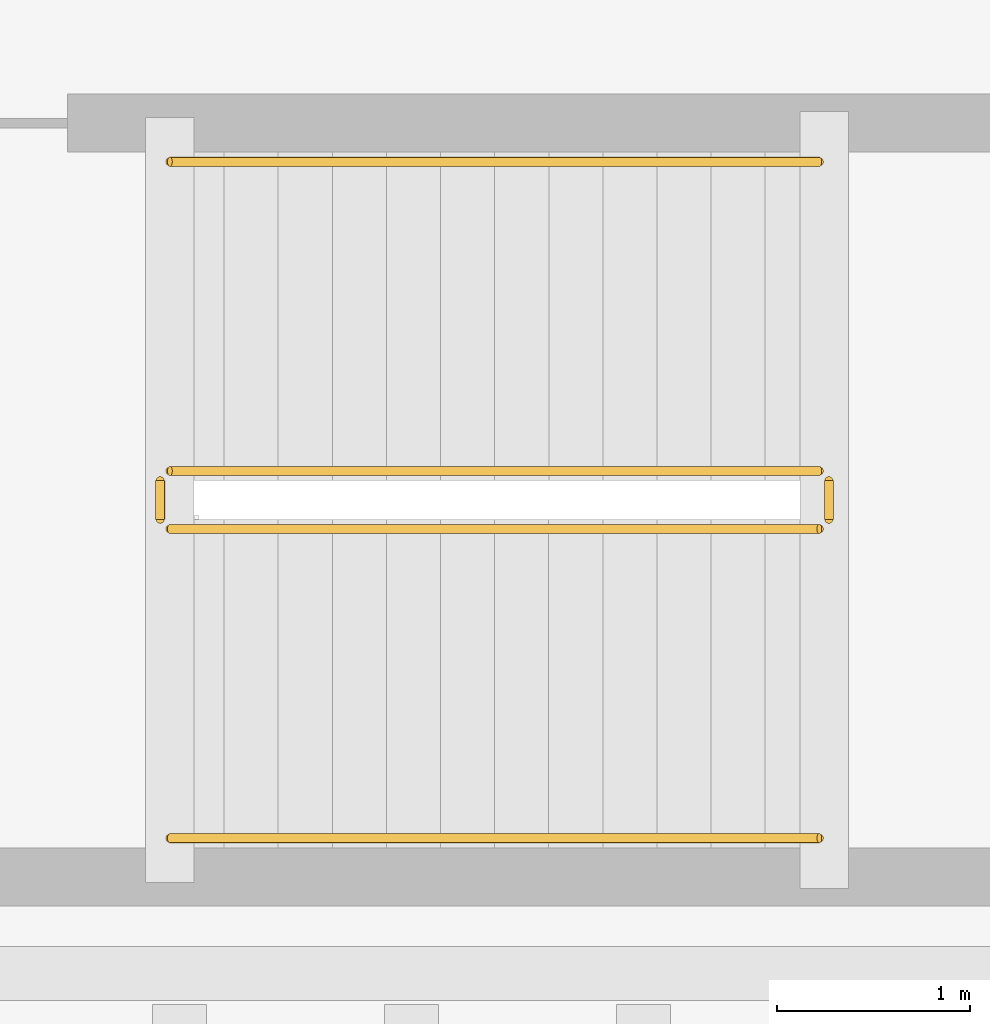
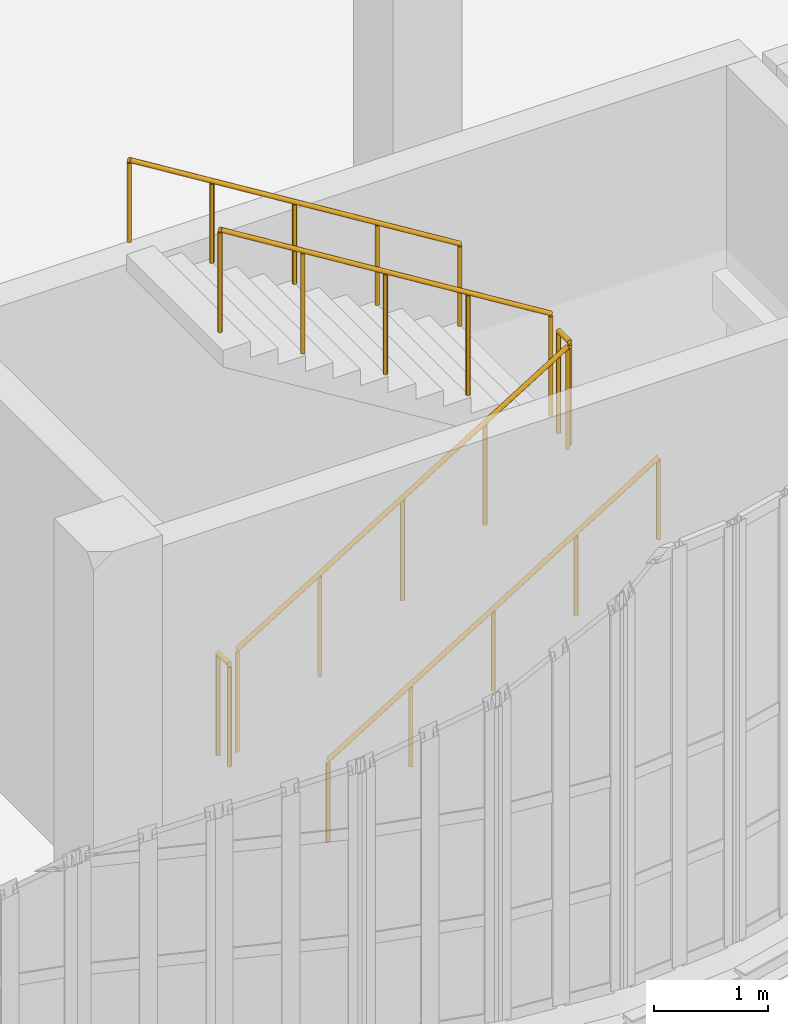
# One storey, part 97 of 108: 6 railings.
"""IFC4 building model written with IfcOpenShell, lengths in metres."""

from ifc_helpers import new_model, si_unit, direction, frame, origin, origin_2d, place, context, subcontext, project, spatial, circle, extrude, material, type_object, element, save


model = new_model("IFC4")

# Units and contexts
model_context = context("Model", 3, precision=1e-05, world=origin(), true_north=direction((0.0, 1.0)))
body_context = subcontext(model_context, "Body", "Model", "MODEL_VIEW")
ifc_project = project(units=[si_unit("LENGTHUNIT", "METRE"), si_unit("AREAUNIT", "SQUARE_METRE"), si_unit("VOLUMEUNIT", "CUBIC_METRE"), si_unit("PLANEANGLEUNIT", "RADIAN"), si_unit("MASSUNIT", "GRAM", prefix="KILO"), si_unit("THERMODYNAMICTEMPERATUREUNIT", "KELVIN"), si_unit("POWERUNIT", "WATT")], contexts=[model_context])

# Site, building, storey
site_placement = place(None, origin())
site = spatial("IfcSite", under=ifc_project, at=site_placement, CompositionType="ELEMENT")
building_placement = place(site_placement, origin())
building = spatial("IfcBuilding", under=site, at=building_placement, Name="Kaldorven Railside Theatre", CompositionType="ELEMENT")
storey_placement = place(building_placement, frame((0.0, 0.0, 5.39990234375)))
storey = spatial("IfcBuildingStorey", under=building, at=storey_placement, Name="L01", CompositionType="ELEMENT", Elevation=5.39990234375)

# Railings
ifc_material = material(Name="Steel S355", Category="steel")
railing_type_1 = type_object("IfcRailingType", Name="RLG-STG-1100", PredefinedType="BALUSTRADE", material=ifc_material)
railing_1_placement = place(storey_placement, frame((60.75, 21.0, 0.173095703125)))
element("IfcRailing", 1, at=railing_1_placement, inside=storey, type_object=railing_type_1, Name="L01 ST-03 stair guard 1", PredefinedType="BALUSTRADE", context=body_context, shape_type="SweptSolid", body=[
    extrude(circle(Radius=0.02392578125, at=origin_2d()), frame((0.0, 0.0, 1.09619140625), z_axis=(0.850623216509, 0.0, 0.525775754039), x_axis=(0.0, 1.0, 0.0)), (0.0, 0.0, 1.0), 3.9501953125),
    extrude(circle(Radius=0.02099609375, at=origin_2d()), origin(), (0.0, 0.0, 1.0), 1.072021484375),
    extrude(circle(Radius=0.02099609375, at=origin_2d()), frame((0.840087890625, 0.0, 0.519287109375)), (0.0, 0.0, 1.0), 1.072021484375),
    extrude(circle(Radius=0.02099609375, at=origin_2d()), frame((1.68017578125, 0.0, 1.03857421875)), (0.0, 0.0, 1.0), 1.072021484375),
    extrude(circle(Radius=0.02099609375, at=origin_2d()), frame((2.52001953125, 0.0, 1.5576171875)), (0.0, 0.0, 1.0), 1.072021484375),
    extrude(circle(Radius=0.02099609375, at=origin_2d()), frame((3.360107421875, 0.0, 2.076904296875)), (0.0, 0.0, 1.0), 1.072021484375),
])
railing_2_placement = place(storey_placement, frame((64.159912109375, 21.050048828125, 2.25)))
element("IfcRailing", 2, at=railing_2_placement, inside=storey, type_object=railing_type_1, Name="L01 ST-03 stair guard 2", PredefinedType="BALUSTRADE", context=body_context, shape_type="SweptSolid", body=[
    extrude(circle(Radius=0.02392578125, at=origin_2d()), frame((0.0, 0.0, 1.09619140625), z_axis=(0.0, 1.0, 0.0), x_axis=(-1.0, 0.0, 0.0)), (0.0, 0.0, 1.0), 0.199951171875),
    extrude(circle(Radius=0.02099609375, at=origin_2d()), origin(), (0.0, 0.0, 1.0), 1.072021484375),
    extrude(circle(Radius=0.02099609375, at=origin_2d()), frame((0.0, 0.199951171875, 0.0)), (0.0, 0.0, 1.0), 1.072021484375),
])
railing_3_placement = place(storey_placement, frame((64.110107421875, 21.300048828125, 2.423095703125)))
element("IfcRailing", 3, at=railing_3_placement, inside=storey, type_object=railing_type_1, Name="L01 ST-03 stair guard 3", PredefinedType="BALUSTRADE", context=body_context, shape_type="SweptSolid", body=[
    extrude(circle(Radius=0.02392578125, at=origin_2d()), frame((0.0, 0.0, 1.09619140625), z_axis=(-0.850623216509, 0.0, 0.525775754039), x_axis=(0.0, -1.0, 0.0)), (0.0, 0.0, 1.0), 3.9501953125),
    extrude(circle(Radius=0.02099609375, at=origin_2d()), origin(), (0.0, 0.0, 1.0), 1.072021484375),
    extrude(circle(Radius=0.02099609375, at=origin_2d()), frame((-0.840087890625, 0.0, 0.519287109375)), (0.0, 0.0, 1.0), 1.072021484375),
    extrude(circle(Radius=0.02099609375, at=origin_2d()), frame((-1.68017578125, 0.0, 1.03857421875)), (0.0, 0.0, 1.0), 1.072021484375),
    extrude(circle(Radius=0.02099609375, at=origin_2d()), frame((-2.52001953125, 0.0, 1.5576171875)), (0.0, 0.0, 1.0), 1.072021484375),
    extrude(circle(Radius=0.02099609375, at=origin_2d()), frame((-3.360107421875, 0.0, 2.076904296875)), (0.0, 0.0, 1.0), 1.072021484375),
])
railing_4_placement = place(storey_placement, frame((60.699951171875, 21.050048828125, 0.0)))
element("IfcRailing", 4, at=railing_4_placement, inside=storey, type_object=railing_type_1, Name="L01 ST-03 stair guard 4", PredefinedType="BALUSTRADE", context=body_context, shape_type="SweptSolid", body=[
    extrude(circle(Radius=0.02392578125, at=origin_2d()), frame((0.0, 0.0, 1.09619140625), z_axis=(0.0, 1.0, 0.0), x_axis=(-1.0, 0.0, 0.0)), (0.0, 0.0, 1.0), 0.199951171875),
    extrude(circle(Radius=0.02099609375, at=origin_2d()), origin(), (0.0, 0.0, 1.0), 1.072021484375),
    extrude(circle(Radius=0.02099609375, at=origin_2d()), frame((0.0, 0.199951171875, 0.0)), (0.0, 0.0, 1.0), 1.072021484375),
])
railing_type_2 = type_object("IfcRailingType", Name="RLG-STH-900", PredefinedType="HANDRAIL", material=ifc_material)
railing_5_placement = place(storey_placement, frame((60.75, 19.39990234375, 0.173095703125)))
element("IfcRailing", 5, at=railing_5_placement, inside=storey, type_object=railing_type_2, Name="L01 ST-03 stair handrail 1", PredefinedType="HANDRAIL", context=body_context, shape_type="SweptSolid", body=[
    extrude(circle(Radius=0.02392578125, at=origin_2d()), frame((0.0, 0.0, 0.8759765625), z_axis=(0.850623216509, 0.0, 0.525775754039), x_axis=(0.0, 1.0, 0.0)), (0.0, 0.0, 1.0), 3.9501953125),
    extrude(circle(Radius=0.02099609375, at=origin_2d()), origin(), (0.0, 0.0, 1.0), 0.851806640625),
    extrude(circle(Radius=0.02099609375, at=origin_2d()), frame((0.840087890625, 0.0, 0.519287109375)), (0.0, 0.0, 1.0), 0.851806640625),
    extrude(circle(Radius=0.02099609375, at=origin_2d()), frame((1.68017578125, 0.0, 1.03857421875)), (0.0, 0.0, 1.0), 0.851806640625),
    extrude(circle(Radius=0.02099609375, at=origin_2d()), frame((2.52001953125, 0.0, 1.5576171875)), (0.0, 0.0, 1.0), 0.851806640625),
    extrude(circle(Radius=0.02099609375, at=origin_2d()), frame((3.360107421875, 0.0, 2.076904296875)), (0.0, 0.0, 1.0), 0.851806640625),
])
railing_6_placement = place(storey_placement, frame((64.110107421875, 22.89990234375, 2.423095703125)))
element("IfcRailing", 6, at=railing_6_placement, inside=storey, type_object=railing_type_2, Name="L01 ST-03 stair handrail 2", PredefinedType="HANDRAIL", context=body_context, shape_type="SweptSolid", body=[
    extrude(circle(Radius=0.02392578125, at=origin_2d()), frame((0.0, 0.0, 0.8759765625), z_axis=(-0.850623216509, 0.0, 0.525775754039), x_axis=(0.0, -1.0, 0.0)), (0.0, 0.0, 1.0), 3.9501953125),
    extrude(circle(Radius=0.02099609375, at=origin_2d()), origin(), (0.0, 0.0, 1.0), 0.851806640625),
    extrude(circle(Radius=0.02099609375, at=origin_2d()), frame((-0.840087890625, 0.0, 0.519287109375)), (0.0, 0.0, 1.0), 0.851806640625),
    extrude(circle(Radius=0.02099609375, at=origin_2d()), frame((-1.68017578125, 0.0, 1.03857421875)), (0.0, 0.0, 1.0), 0.851806640625),
    extrude(circle(Radius=0.02099609375, at=origin_2d()), frame((-2.52001953125, 0.0, 1.5576171875)), (0.0, 0.0, 1.0), 0.851806640625),
    extrude(circle(Radius=0.02099609375, at=origin_2d()), frame((-3.360107421875, 0.0, 2.076904296875)), (0.0, 0.0, 1.0), 0.851806640625),
])

save(model, "model.ifc")
